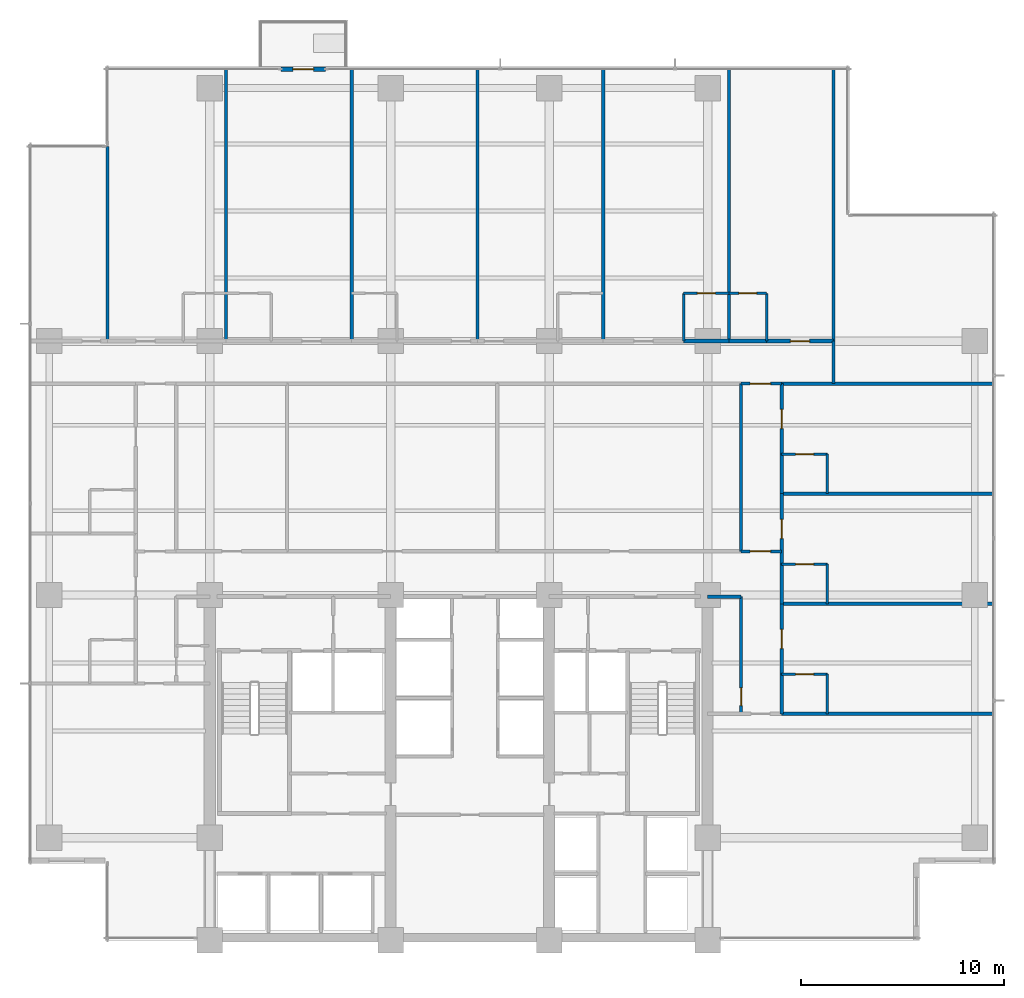
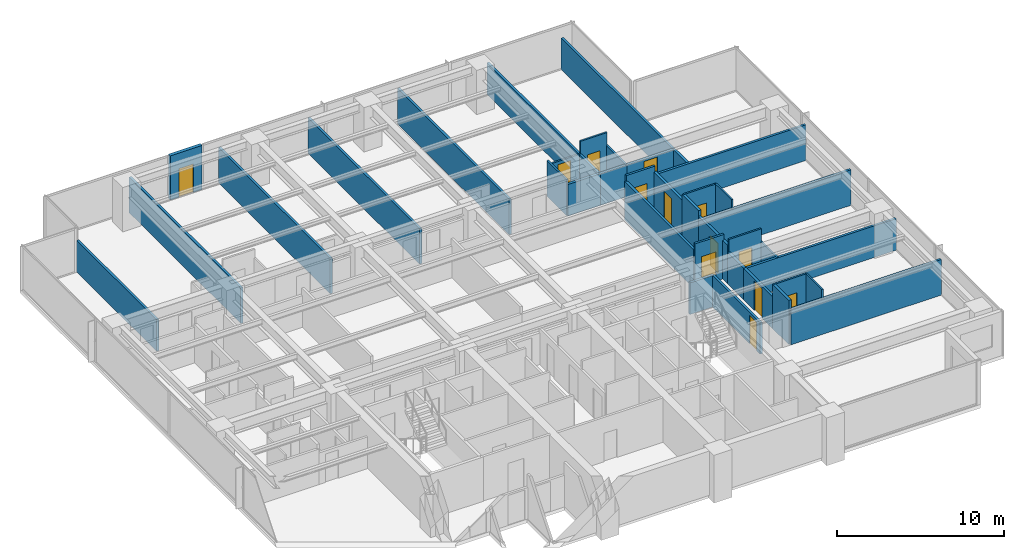
# One storey, part 11 of 17: 37 walls, 13 doors, 13 openings.
"""IFC4 building model written with IfcOpenShell, lengths in metres."""

from ifc_helpers import new_model, si_unit, direction, frame, frame_2d, origin, place, context, subcontext, project, spatial, rectangle, extrude, material, layer, layer_set, type_object, element, fill, save


model = new_model("IFC4")

# Units and contexts
model_context = context("Model", 3, precision=1e-05, world=origin(), true_north=direction((0.0, 1.0)))
body_context = subcontext(model_context, "Body", "Model", "MODEL_VIEW")
ifc_project = project(units=[si_unit("LENGTHUNIT", "METRE"), si_unit("AREAUNIT", "SQUARE_METRE"), si_unit("VOLUMEUNIT", "CUBIC_METRE"), si_unit("PLANEANGLEUNIT", "RADIAN"), si_unit("MASSUNIT", "GRAM", prefix="KILO")], contexts=[model_context])

# Site, building, storey
site_placement = place(None, origin())
site = spatial("IfcSite", under=ifc_project, at=site_placement, CompositionType="ELEMENT")
building_placement = place(site_placement, origin())
building = spatial("IfcBuilding", under=site, at=building_placement, Name="Qalmaran Belvedere Hotel", CompositionType="ELEMENT")
storey_placement = place(building_placement, frame((0.0, 0.0, 105.699951171875)))
storey = spatial("IfcBuildingStorey", under=building, at=storey_placement, Name="L26", CompositionType="ELEMENT", Elevation=105.699951171875)

# Wall, opening, door
ifc_material_1 = material(Name="Anodised Bronze Cladding")
ifc_layer_1 = layer(ifc_material_1, 0.22509765625, Name="Anodised Bronze Cladding")
ifc_layer_set_1 = layer_set([ifc_layer_1], Name="Anodised Bronze Cladding")
wall_type_1 = type_object("IfcWallType", Name="WL-BAL-PORT-225", PredefinedType="SOLIDWALL", material=ifc_layer_set_1)
wall_1_placement = place(storey_placement, frame((23.800048828125, 46.3798828125, 0.0), z_axis=(0.0, 0.0, 1.0), x_axis=(1.0, 0.0, 0.0)))
wall_1 = element("IfcWall", 1, at=wall_1_placement, inside=storey, type_object=wall_type_1, Name="L26 Tree Balcony Door Portal", PredefinedType="SOLIDWALL", context=body_context, shape_type="SweptSolid", body=[
    extrude(rectangle(XDim=2.199951171875, YDim=0.22509765625, at=frame_2d((1.10009765625, 0.0))), origin(), (0.0, 0.0, 1.0), 3.239990234375),
])
opening_1_placement = place(wall_1_placement, frame((0.590087890625, 0.0, 0.0)))
opening_1 = element("IfcOpeningElement", 2, at=opening_1_placement, cuts=wall_1, Name="Opening BL-102", PredefinedType="OPENING", context=body_context, shape_type="SweptSolid", body=[
    extrude(rectangle(XDim=1.02001953125, YDim=2.10009765625, at=frame_2d((0.510009765625, 1.050048828125))), frame((0.0, 0.12255859375, 0.0), z_axis=(0.0, -1.0, 0.0), x_axis=(1.0, 0.0, 0.0)), (0.0, 0.0, 1.0), 0.2451171875),
])
ifc_material_2 = material(Name="Anodised Bronze Aluminium", Category="aluminium")
door_type_1 = type_object("IfcDoorType", Name="DR-BAL-1020X2100", OperationType="NOTDEFINED", PredefinedType="DOOR", material=ifc_material_2)
door_1_placement = place(opening_1_placement, origin())
door_1 = element("IfcDoor", 3, at=door_1_placement, inside=storey, type_object=door_type_1, Name="L26 Planted Tree Balcony Door", OperationType="SINGLE_SWING_LEFT", OverallHeight=2.10009765625, OverallWidth=1.02001953125, PredefinedType="DOOR", context=body_context, shape_type="SweptSolid", body=[
    extrude(rectangle(XDim=1.02001953125, YDim=2.10009765625, at=frame_2d((0.510009765625, 1.050048828125))), frame((0.0, 0.02490234375, 0.0), z_axis=(0.0, -1.0, 0.0), x_axis=(1.0, 0.0, 0.0)), (0.0, 0.0, 1.0), 0.050048828125),
])
fill(opening_1, door_1)

ifc_material_3 = material(Name="Moisture-Resistant Gypsum")
ifc_layer_2 = layer(ifc_material_3, 0.1201171875, Name="Moisture-Resistant Gypsum")
ifc_layer_set_2 = layer_set([ifc_layer_2], Name="Moisture-Resistant Gypsum")
wall_type_2 = type_object("IfcWallType", Name="WL-INT-120-BATH", PredefinedType="PARTITIONING", material=ifc_layer_set_2)
wall_2_placement = place(storey_placement, frame((43.62451171875, 35.35009765625, 0.0), z_axis=(0.0, 0.0, 1.0), x_axis=(1.0, 0.0, 0.0)))
wall_2 = element("IfcWall", 4, at=wall_2_placement, inside=storey, type_object=wall_type_2, Name="L26 Partition WL-L26-NBN04", PredefinedType="PARTITIONING", context=body_context, shape_type="SweptSolid", body=[
    extrude(rectangle(XDim=2.22998046875, YDim=0.1201171875, at=frame_2d((1.114990234375, 0.0))), origin(), (0.0, 0.0, 1.0), 2.31298828125),
])
opening_2_placement = place(wall_2_placement, frame((1.554931640625, 0.0, 0.0), z_axis=(0.0, 0.0, 1.0), x_axis=(-1.0, 0.0, 0.0)))
opening_2 = element("IfcOpeningElement", 5, at=opening_2_placement, cuts=wall_2, Name="Opening D-BATH", PredefinedType="OPENING", context=body_context, shape_type="SweptSolid", body=[
    extrude(rectangle(XDim=0.8798828125, YDim=2.080078125, at=frame_2d((0.43994140625, 1.0400390625))), frame((0.0, 0.070068359375, 0.0), z_axis=(0.0, -1.0, 0.0), x_axis=(1.0, 0.0, 0.0)), (0.0, 0.0, 1.0), 0.14013671875),
])
ifc_material_4 = material(Name="Engineered Oak Veneer")
door_type_2 = type_object("IfcDoorType", Name="DR-INT-BATH-880X2080", OperationType="NOTDEFINED", PredefinedType="DOOR", material=ifc_material_4)
door_2_placement = place(opening_2_placement, origin())
door_2 = element("IfcDoor", 6, at=door_2_placement, inside=storey, type_object=door_type_2, Name="L26 Ensuite Bathroom Door N05", OperationType="SINGLE_SWING_LEFT", OverallHeight=2.080078125, OverallWidth=0.8798828125, PredefinedType="DOOR", context=body_context, shape_type="SweptSolid", body=[
    extrude(rectangle(XDim=0.8798828125, YDim=2.080078125, at=frame_2d((0.43994140625, 1.0400390625))), frame((0.0, 0.02490234375, 0.0), z_axis=(0.0, -1.0, 0.0), x_axis=(1.0, 0.0, 0.0)), (0.0, 0.0, 1.0), 0.050048828125),
])
fill(opening_2, door_2)

# Wall
wall_3_placement = place(storey_placement, frame((43.62451171875, 33.0, 0.0), z_axis=(0.0, 0.0, 1.0), x_axis=(0.0, 1.0, 0.0)))
element("IfcWall", 7, at=wall_3_placement, inside=storey, type_object=wall_type_2, Name="L26 Partition WL-L26-NBS04", PredefinedType="PARTITIONING", context=body_context, shape_type="SweptSolid", body=[
    extrude(rectangle(XDim=2.35009765625, YDim=0.1201171875, at=frame_2d((1.175048828125, 0.0))), origin(), (0.0, 0.0, 1.0), 2.614013671875),
])

# Wall, opening, door
wall_4_placement = place(storey_placement, frame((45.8544921875, 35.35009765625, 0.0), z_axis=(0.0, 0.0, 1.0), x_axis=(1.0, 0.0, 0.0)))
wall_4 = element("IfcWall", 8, at=wall_4_placement, inside=storey, type_object=wall_type_2, Name="L26 Partition WL-L26-NBN05", PredefinedType="PARTITIONING", context=body_context, shape_type="SweptSolid", body=[
    extrude(rectangle(XDim=1.849853515625, YDim=0.1201171875, at=frame_2d((0.9248046875, 0.0))), origin(), (0.0, 0.0, 1.0), 3.239990234375),
])
opening_3_placement = place(wall_4_placement, frame((1.364990234375, 0.0, 0.0), z_axis=(0.0, 0.0, 1.0), x_axis=(-1.0, 0.0, 0.0)))
opening_3 = element("IfcOpeningElement", 9, at=opening_3_placement, cuts=wall_4, Name="Opening D-BATH", PredefinedType="OPENING", context=body_context, shape_type="SweptSolid", body=[
    extrude(rectangle(XDim=0.8798828125, YDim=2.080078125, at=frame_2d((0.43994140625, 1.0400390625))), frame((0.0, 0.070068359375, 0.0), z_axis=(0.0, -1.0, 0.0), x_axis=(1.0, 0.0, 0.0)), (0.0, 0.0, 1.0), 0.14013671875),
])
door_3_placement = place(opening_3_placement, origin())
door_3 = element("IfcDoor", 10, at=door_3_placement, inside=storey, type_object=door_type_2, Name="L26 Ensuite Bathroom Door N06", OperationType="SINGLE_SWING_LEFT", OverallHeight=2.080078125, OverallWidth=0.8798828125, PredefinedType="DOOR", context=body_context, shape_type="SweptSolid", body=[
    extrude(rectangle(XDim=0.8798828125, YDim=2.080078125, at=frame_2d((0.43994140625, 1.0400390625))), frame((0.0, 0.02490234375, 0.0), z_axis=(0.0, -1.0, 0.0), x_axis=(1.0, 0.0, 0.0)), (0.0, 0.0, 1.0), 0.050048828125),
])
fill(opening_3, door_3)

# Wall
wall_5_placement = place(storey_placement, frame((47.704345703125, 33.0, 0.0), z_axis=(0.0, 0.0, 1.0), x_axis=(0.0, 1.0, 0.0)))
element("IfcWall", 11, at=wall_5_placement, inside=storey, type_object=wall_type_2, Name="L26 Partition WL-L26-NBS05", PredefinedType="PARTITIONING", context=body_context, shape_type="SweptSolid", body=[
    extrude(rectangle(XDim=2.35009765625, YDim=0.1201171875, at=frame_2d((1.175048828125, 0.0))), origin(), (0.0, 0.0, 1.0), 2.31298828125),
])

# Wall, opening, door
wall_6_placement = place(storey_placement, frame((48.449951171875, 16.60009765625, 0.0), z_axis=(0.0, 0.0, 1.0), x_axis=(1.0, 0.0, 0.0)))
wall_6 = element("IfcWall", 12, at=wall_6_placement, inside=storey, type_object=wall_type_2, Name="L26 Partition WL-L26-EBN00", PredefinedType="PARTITIONING", context=body_context, shape_type="SweptSolid", body=[
    extrude(rectangle(XDim=2.25, YDim=0.1201171875, at=frame_2d((1.125, 0.0))), origin(), (0.0, 0.0, 1.0), 3.239990234375),
])
opening_4_placement = place(wall_6_placement, frame((1.56494140625, 0.0, 0.0), z_axis=(0.0, 0.0, 1.0), x_axis=(-1.0, 0.0, 0.0)))
opening_4 = element("IfcOpeningElement", 13, at=opening_4_placement, cuts=wall_6, Name="Opening D-BATH", PredefinedType="OPENING", context=body_context, shape_type="SweptSolid", body=[
    extrude(rectangle(XDim=0.8798828125, YDim=2.080078125, at=frame_2d((0.43994140625, 1.0400390625))), frame((0.0, 0.070068359375, 0.0), z_axis=(0.0, -1.0, 0.0), x_axis=(1.0, 0.0, 0.0)), (0.0, 0.0, 1.0), 0.14013671875),
])
door_4_placement = place(opening_4_placement, origin())
door_4 = element("IfcDoor", 14, at=door_4_placement, inside=storey, type_object=door_type_2, Name="L26 E Ensuite Door 01", OperationType="SINGLE_SWING_LEFT", OverallHeight=2.080078125, OverallWidth=0.8798828125, PredefinedType="DOOR", context=body_context, shape_type="SweptSolid", body=[
    extrude(rectangle(XDim=0.8798828125, YDim=2.080078125, at=frame_2d((0.43994140625, 1.0400390625))), frame((0.0, 0.02490234375, 0.0), z_axis=(0.0, -1.0, 0.0), x_axis=(1.0, 0.0, 0.0)), (0.0, 0.0, 1.0), 0.050048828125),
])
fill(opening_4, door_4)

# Wall
wall_7_placement = place(storey_placement, frame((50.699951171875, 14.64990234375, 0.0), z_axis=(0.0, 0.0, 1.0), x_axis=(0.0, 1.0, 0.0)))
element("IfcWall", 15, at=wall_7_placement, inside=storey, type_object=wall_type_2, Name="L26 Partition WL-L26-EBS00", PredefinedType="PARTITIONING", context=body_context, shape_type="SweptSolid", body=[
    extrude(rectangle(XDim=1.9501953125, YDim=0.1201171875, at=frame_2d((0.97509765625, 0.0))), origin(), (0.0, 0.0, 1.0), 3.239990234375),
])

# Wall, opening, door
wall_8_placement = place(storey_placement, frame((48.449951171875, 22.0166015625, 0.0), z_axis=(0.0, 0.0, 1.0), x_axis=(1.0, 0.0, 0.0)))
wall_8 = element("IfcWall", 16, at=wall_8_placement, inside=storey, type_object=wall_type_2, Name="L26 Partition WL-L26-EBN01", PredefinedType="PARTITIONING", context=body_context, shape_type="SweptSolid", body=[
    extrude(rectangle(XDim=2.25, YDim=0.1201171875, at=frame_2d((1.125, 0.0))), origin(), (0.0, 0.0, 1.0), 3.239990234375),
])
opening_5_placement = place(wall_8_placement, frame((1.56494140625, 0.0, 0.0), z_axis=(0.0, 0.0, 1.0), x_axis=(-1.0, 0.0, 0.0)))
opening_5 = element("IfcOpeningElement", 17, at=opening_5_placement, cuts=wall_8, Name="Opening D-BATH", PredefinedType="OPENING", context=body_context, shape_type="SweptSolid", body=[
    extrude(rectangle(XDim=0.8798828125, YDim=2.080078125, at=frame_2d((0.43994140625, 1.0400390625))), frame((0.0, 0.070068359375, 0.0), z_axis=(0.0, -1.0, 0.0), x_axis=(1.0, 0.0, 0.0)), (0.0, 0.0, 1.0), 0.14013671875),
])
door_5_placement = place(opening_5_placement, origin())
door_5 = element("IfcDoor", 18, at=door_5_placement, inside=storey, type_object=door_type_2, Name="L26 E Ensuite Door 02", OperationType="SINGLE_SWING_LEFT", OverallHeight=2.080078125, OverallWidth=0.8798828125, PredefinedType="DOOR", context=body_context, shape_type="SweptSolid", body=[
    extrude(rectangle(XDim=0.8798828125, YDim=2.080078125, at=frame_2d((0.43994140625, 1.0400390625))), frame((0.0, 0.02490234375, 0.0), z_axis=(0.0, -1.0, 0.0), x_axis=(1.0, 0.0, 0.0)), (0.0, 0.0, 1.0), 0.050048828125),
])
fill(opening_5, door_5)

# Wall
wall_9_placement = place(storey_placement, frame((50.699951171875, 20.066650390625, 0.0), z_axis=(0.0, 0.0, 1.0), x_axis=(0.0, 1.0, 0.0)))
element("IfcWall", 19, at=wall_9_placement, inside=storey, type_object=wall_type_2, Name="L26 Partition WL-L26-EBS01", PredefinedType="PARTITIONING", context=body_context, shape_type="SweptSolid", body=[
    extrude(rectangle(XDim=1.949951171875, YDim=0.1201171875, at=frame_2d((0.97509765625, 0.0))), origin(), (0.0, 0.0, 1.0), 2.31298828125),
])

# Wall, opening, door
wall_10_placement = place(storey_placement, frame((48.449951171875, 27.433349609375, 0.0), z_axis=(0.0, 0.0, 1.0), x_axis=(1.0, 0.0, 0.0)))
wall_10 = element("IfcWall", 20, at=wall_10_placement, inside=storey, type_object=wall_type_2, Name="L26 Partition WL-L26-EBN02", PredefinedType="PARTITIONING", context=body_context, shape_type="SweptSolid", body=[
    extrude(rectangle(XDim=2.25, YDim=0.1201171875, at=frame_2d((1.125, 0.0))), origin(), (0.0, 0.0, 1.0), 3.239990234375),
])
opening_6_placement = place(wall_10_placement, frame((1.56494140625, 0.0, 0.0), z_axis=(0.0, 0.0, 1.0), x_axis=(-1.0, 0.0, 0.0)))
opening_6 = element("IfcOpeningElement", 21, at=opening_6_placement, cuts=wall_10, Name="Opening D-BATH", PredefinedType="OPENING", context=body_context, shape_type="SweptSolid", body=[
    extrude(rectangle(XDim=0.8798828125, YDim=2.080078125, at=frame_2d((0.43994140625, 1.0400390625))), frame((0.0, 0.070068359375, 0.0), z_axis=(0.0, -1.0, 0.0), x_axis=(1.0, 0.0, 0.0)), (0.0, 0.0, 1.0), 0.14013671875),
])
door_6_placement = place(opening_6_placement, origin())
door_6 = element("IfcDoor", 22, at=door_6_placement, inside=storey, type_object=door_type_2, Name="L26 E Ensuite Door 03", OperationType="SINGLE_SWING_LEFT", OverallHeight=2.080078125, OverallWidth=0.8798828125, PredefinedType="DOOR", context=body_context, shape_type="SweptSolid", body=[
    extrude(rectangle(XDim=0.8798828125, YDim=2.080078125, at=frame_2d((0.43994140625, 1.0400390625))), frame((0.0, 0.02490234375, 0.0), z_axis=(0.0, -1.0, 0.0), x_axis=(1.0, 0.0, 0.0)), (0.0, 0.0, 1.0), 0.050048828125),
])
fill(opening_6, door_6)

# Wall
wall_11_placement = place(storey_placement, frame((50.699951171875, 25.4833984375, 0.0), z_axis=(0.0, 0.0, 1.0), x_axis=(0.0, 1.0, 0.0)))
element("IfcWall", 23, at=wall_11_placement, inside=storey, type_object=wall_type_2, Name="L26 Partition WL-L26-EBS02", PredefinedType="PARTITIONING", context=body_context, shape_type="SweptSolid", body=[
    extrude(rectangle(XDim=1.949951171875, YDim=0.1201171875, at=frame_2d((0.97509765625, 0.0))), origin(), (0.0, 0.0, 1.0), 3.239990234375),
])

# Wall, opening, door
ifc_material_5 = material(Name="Gypsum Stud Partition")
ifc_layer_3 = layer(ifc_material_5, 0.14990234375, Name="Gypsum Stud Partition")
ifc_layer_set_3 = layer_set([ifc_layer_3], Name="Gypsum Stud Partition")
wall_type_3 = type_object("IfcWallType", Name="WL-INT-150-EI60", PredefinedType="PARTITIONING", material=ifc_layer_set_3)
wall_12_placement = place(storey_placement, frame((46.449951171875, 22.64990234375, 0.0), z_axis=(0.0, 0.0, 1.0), x_axis=(1.0, 0.0, 0.0)))
wall_12 = element("IfcWall", 24, at=wall_12_placement, inside=storey, type_object=wall_type_3, Name="L26 Partition WL-L26-XCE1", PredefinedType="PARTITIONING", context=body_context, shape_type="SweptSolid", body=[
    extrude(rectangle(XDim=2.0, YDim=0.14990234375, at=frame_2d((1.0, 0.0))), origin(), (0.0, 0.0, 1.0), 3.239990234375),
])
opening_7_placement = place(wall_12_placement, frame((0.449951171875, 0.0, 0.0)))
opening_7 = element("IfcOpeningElement", 25, at=opening_7_placement, cuts=wall_12, Name="Opening FD90B", PredefinedType="OPENING", context=body_context, shape_type="SweptSolid", body=[
    extrude(rectangle(XDim=1.0, YDim=2.14990234375, at=frame_2d((0.5, 1.074951171875))), frame((0.0, 0.0849609375, 0.0), z_axis=(0.0, -1.0, 0.0), x_axis=(1.0, 0.0, 0.0)), (0.0, 0.0, 1.0), 0.169921875),
])
ifc_material_6 = material(Name="Steel S355JR", Category="steel")
door_type_3 = type_object("IfcDoorType", Name="DR-FD90B-1000X2150", OperationType="NOTDEFINED", PredefinedType="DOOR", material=ifc_material_6)
door_7_placement = place(opening_7_placement, origin())
door_7 = element("IfcDoor", 26, at=door_7_placement, inside=storey, type_object=door_type_3, Name="L26 East Corridor Smoke Door S", OperationType="SINGLE_SWING_RIGHT", OverallHeight=2.14990234375, OverallWidth=1.0, PredefinedType="DOOR", context=body_context, shape_type="SweptSolid", body=[
    extrude(rectangle(XDim=1.0, YDim=2.14990234375, at=frame_2d((0.5, 1.074951171875))), frame((0.0, 0.02490234375, 0.0), z_axis=(0.0, -1.0, 0.0), x_axis=(1.0, 0.0, 0.0)), (0.0, 0.0, 1.0), 0.050048828125),
])
fill(opening_7, door_7)

wall_13_placement = place(storey_placement, frame((46.449951171875, 30.89990234375, 0.0), z_axis=(0.0, 0.0, 1.0), x_axis=(1.0, 0.0, 0.0)))
wall_13 = element("IfcWall", 27, at=wall_13_placement, inside=storey, type_object=wall_type_3, Name="L26 Partition WL-L26-XCE2", PredefinedType="PARTITIONING", context=body_context, shape_type="SweptSolid", body=[
    extrude(rectangle(XDim=2.0, YDim=0.14990234375, at=frame_2d((1.0, 0.0))), origin(), (0.0, 0.0, 1.0), 3.239990234375),
])
opening_8_placement = place(wall_13_placement, frame((0.449951171875, 0.0, 0.0)))
opening_8 = element("IfcOpeningElement", 28, at=opening_8_placement, cuts=wall_13, Name="Opening FD90B", PredefinedType="OPENING", context=body_context, shape_type="SweptSolid", body=[
    extrude(rectangle(XDim=1.0, YDim=2.14990234375, at=frame_2d((0.5, 1.074951171875))), frame((0.0, 0.0849609375, 0.0), z_axis=(0.0, -1.0, 0.0), x_axis=(1.0, 0.0, 0.0)), (0.0, 0.0, 1.0), 0.169921875),
])
door_8_placement = place(opening_8_placement, origin())
door_8 = element("IfcDoor", 29, at=door_8_placement, inside=storey, type_object=door_type_3, Name="L26 East Corridor Smoke Door N", OperationType="SINGLE_SWING_LEFT", OverallHeight=2.14990234375, OverallWidth=1.0, PredefinedType="DOOR", context=body_context, shape_type="SweptSolid", body=[
    extrude(rectangle(XDim=1.0, YDim=2.14990234375, at=frame_2d((0.5, 1.074951171875))), frame((0.0, 0.02490234375, 0.0), z_axis=(0.0, -1.0, 0.0), x_axis=(1.0, 0.0, 0.0)), (0.0, 0.0, 1.0), 0.050048828125),
])
fill(opening_8, door_8)

ifc_layer_4 = layer(ifc_material_5, 0.159912109375, Name="Gypsum Stud Partition")
ifc_layer_set_4 = layer_set([ifc_layer_4], Name="Gypsum Stud Partition")
wall_type_4 = type_object("IfcWallType", Name="WL-INT-160-EI60", PredefinedType="PARTITIONING", material=ifc_layer_set_4)
wall_14_placement = place(storey_placement, frame((46.449951171875, 14.64990234375, 0.0), z_axis=(0.0, 0.0, 1.0), x_axis=(0.0, 1.0, 0.0)))
wall_14 = element("IfcWall", 30, at=wall_14_placement, inside=storey, type_object=wall_type_4, Name="L26 Partition WL-L26-ECL", PredefinedType="PARTITIONING", context=body_context, shape_type="SweptSolid", body=[
    extrude(rectangle(XDim=5.77001953125, YDim=0.159912109375, at=frame_2d((2.885009765625, 0.0))), origin(), (0.0, 0.0, 1.0), 2.31298828125),
])
opening_9_placement = place(wall_14_placement, frame((0.39990234375, 0.0, 0.0)))
opening_9 = element("IfcOpeningElement", 31, at=opening_9_placement, cuts=wall_14, Name="Opening FD60B", PredefinedType="OPENING", context=body_context, shape_type="SweptSolid", body=[
    extrude(rectangle(XDim=0.8798828125, YDim=2.080078125, at=frame_2d((0.43994140625, 1.0400390625))), frame((0.0, 0.08984375, 0.0), z_axis=(0.0, -1.0, 0.0), x_axis=(1.0, 0.0, 0.0)), (0.0, 0.0, 1.0), 0.179931640625),
])
door_type_4 = type_object("IfcDoorType", Name="DR-FD60B-880X2080", OperationType="NOTDEFINED", PredefinedType="DOOR", material=ifc_material_6)
door_9_placement = place(opening_9_placement, origin())
door_9 = element("IfcDoor", 32, at=door_9_placement, inside=storey, type_object=door_type_4, Name="L26 East Closet Door", OperationType="SINGLE_SWING_LEFT", OverallHeight=2.080078125, OverallWidth=0.8798828125, PredefinedType="DOOR", context=body_context, shape_type="SweptSolid", body=[
    extrude(rectangle(XDim=0.8798828125, YDim=2.080078125, at=frame_2d((0.43994140625, 1.0400390625))), frame((0.0, 0.02490234375, 0.0), z_axis=(0.0, -1.0, 0.0), x_axis=(1.0, 0.0, 0.0)), (0.0, 0.0, 1.0), 0.050048828125),
])
fill(opening_9, door_9)

# Walls
wall_15_placement = place(storey_placement, frame((44.800048828125, 20.419921875, 0.0), z_axis=(0.0, 0.0, 1.0), x_axis=(1.0, 0.0, 0.0)))
element("IfcWall", 33, at=wall_15_placement, inside=storey, type_object=wall_type_4, Name="L26 Partition WL-L26-ECLN", PredefinedType="PARTITIONING", context=body_context, shape_type="SweptSolid", body=[
    extrude(rectangle(XDim=1.64990234375, YDim=0.159912109375, at=frame_2d((0.824951171875, 0.0))), origin(), (0.0, 0.0, 1.0), 2.31298828125),
])
wall_16_placement = place(storey_placement, frame((51.0, 30.89990234375, 0.0), z_axis=(0.0, 0.0, 1.0), x_axis=(0.0, 1.0, 0.0)))
element("IfcWall", 34, at=wall_16_placement, inside=storey, type_object=wall_type_4, Name="L26 Partition WL-L26-NCGE", PredefinedType="PARTITIONING", context=body_context, shape_type="SweptSolid", body=[
    extrude(rectangle(XDim=2.10009765625, YDim=0.159912109375, at=frame_2d((1.050048828125, 0.0))), origin(), (0.0, 0.0, 1.0), 2.31298828125),
])
wall_17_placement = place(storey_placement, frame((46.449951171875, 22.64990234375, 0.0), z_axis=(0.0, 0.0, 1.0), x_axis=(0.0, 1.0, 0.0)))
element("IfcWall", 35, at=wall_17_placement, inside=storey, type_object=wall_type_4, Name="L26 Partition WL-L26-MIDVR3", PredefinedType="PARTITIONING", context=body_context, shape_type="SweptSolid", body=[
    extrude(rectangle(XDim=8.25, YDim=0.159912109375, at=frame_2d((4.125, 0.0))), origin(), (0.0, 0.0, 1.0), 2.818115234375),
])
wall_18_placement = place(storey_placement, frame((15.27001953125, 33.0, 0.0), z_axis=(0.0, 0.0, 1.0), x_axis=(0.0, 1.0, 0.0)))
element("IfcWall", 36, at=wall_18_placement, inside=storey, type_object=wall_type_4, Name="L26 Partition WL-L26-NUL", PredefinedType="PARTITIONING", context=body_context, shape_type="SweptSolid", body=[
    extrude(rectangle(XDim=9.580078125, YDim=0.159912109375, at=frame_2d((4.7900390625, 0.0))), origin(), (0.0, 0.0, 1.0), 2.31298828125),
])
for number, where, z_axis, x_axis, name in (
    (37, (21.095703125, 33.0, 0.0), (0.0, 0.0, 1.0), (0.0, 1.0, 0.0), "L26 Partition WL-L26-NUR00"),
    (38, (27.285400390625, 33.0, 0.0), (0.0, 0.0, 1.0), (0.0, 1.0, 0.0), "L26 Partition WL-L26-NUR01"),
    (39, (33.47509765625, 33.0, 0.0), (0.0, 0.0, 1.0), (0.0, 1.0, 0.0), "L26 Partition WL-L26-NUR02"),
    (40, (39.664794921875, 33.0, 0.0), (0.0, 0.0, 1.0), (0.0, 1.0, 0.0), "L26 Partition WL-L26-NUR03"),
):
    element("IfcWall", number, at=place(storey_placement, frame(where, z_axis=z_axis, x_axis=x_axis)), inside=storey, type_object=wall_type_4, Name=name, PredefinedType="PARTITIONING", context=body_context, shape_type="SweptSolid", body=[
        extrude(rectangle(XDim=13.3798828125, YDim=0.159912109375, at=frame_2d((6.68994140625, 0.0))), origin(), (0.0, 0.0, 1.0), 2.60302734375),
    ])
for number, where, z_axis, x_axis, name in (
    (41, (45.8544921875, 33.0, 0.0), (0.0, 0.0, 1.0), (0.0, 1.0, 0.0), "L26 Partition WL-L26-NUR04"),
    (42, (51.0, 33.0, 0.0), (0.0, 0.0, 1.0), (0.0, 1.0, 0.0), "L26 Partition WL-L26-NUR05"),
):
    element("IfcWall", number, at=place(storey_placement, frame(where, z_axis=z_axis, x_axis=x_axis)), inside=storey, type_object=wall_type_4, Name=name, PredefinedType="PARTITIONING", context=body_context, shape_type="SweptSolid", body=[
        extrude(rectangle(XDim=13.3798828125, YDim=0.159912109375, at=frame_2d((6.68994140625, 0.0))), origin(), (0.0, 0.0, 1.0), 2.31298828125),
    ])
wall_19_placement = place(storey_placement, frame((48.449951171875, 14.64990234375, 0.0), z_axis=(0.0, 0.0, 1.0), x_axis=(1.0, 0.0, 0.0)))
element("IfcWall", 43, at=wall_19_placement, inside=storey, type_object=wall_type_4, Name="L26 Partition WL-L26-EBOT", PredefinedType="PARTITIONING", context=body_context, shape_type="SweptSolid", body=[
    extrude(rectangle(XDim=10.429931640625, YDim=0.159912109375, at=frame_2d((5.21484375, 0.0))), origin(), (0.0, 0.0, 1.0), 2.60302734375),
])
wall_20_placement = place(storey_placement, frame((48.449951171875, 20.066650390625, 0.0), z_axis=(0.0, 0.0, 1.0), x_axis=(1.0, 0.0, 0.0)))
element("IfcWall", 44, at=wall_20_placement, inside=storey, type_object=wall_type_4, Name="L26 Partition WL-L26-EU00", PredefinedType="PARTITIONING", context=body_context, shape_type="SweptSolid", body=[
    extrude(rectangle(XDim=10.429931640625, YDim=0.159912109375, at=frame_2d((5.21484375, 0.0))), origin(), (0.0, 0.0, 1.0), 2.31298828125),
])
for number, where, z_axis, x_axis, name in (
    (45, (48.449951171875, 25.4833984375, 0.0), (0.0, 0.0, 1.0), (1.0, 0.0, 0.0), "L26 Partition WL-L26-EU01"),
    (46, (48.449951171875, 30.89990234375, 0.0), (0.0, 0.0, 1.0), (1.0, 0.0, 0.0), "L26 Partition WL-L26-EU02"),
):
    element("IfcWall", number, at=place(storey_placement, frame(where, z_axis=z_axis, x_axis=x_axis)), inside=storey, type_object=wall_type_4, Name=name, PredefinedType="PARTITIONING", context=body_context, shape_type="SweptSolid", body=[
        extrude(rectangle(XDim=10.429931640625, YDim=0.159912109375, at=frame_2d((5.21484375, 0.0))), origin(), (0.0, 0.0, 1.0), 2.60302734375),
    ])
ifc_layer_5 = layer(ifc_material_5, 0.179931640625, Name="Gypsum Stud Partition")
ifc_layer_set_5 = layer_set([ifc_layer_5], Name="Gypsum Stud Partition")
wall_type_5 = type_object("IfcWallType", Name="WL-INT-180-EI60", PredefinedType="PARTITIONING", material=ifc_layer_set_5)
wall_21_placement = place(storey_placement, frame((43.62451171875, 33.0, 0.0), z_axis=(0.0, 0.0, 1.0), x_axis=(1.0, 0.0, 0.0)))
element("IfcWall", 47, at=wall_21_placement, inside=storey, type_object=wall_type_5, Name="L26 Partition WL-L26-NBC04", PredefinedType="PARTITIONING", context=body_context, shape_type="SweptSolid", body=[
    extrude(rectangle(XDim=2.22998046875, YDim=0.179931640625, at=frame_2d((1.114990234375, 0.0))), origin(), (0.0, 0.0, 1.0), 2.31298828125),
])
wall_22_placement = place(storey_placement, frame((45.8544921875, 33.0, 0.0), z_axis=(0.0, 0.0, 1.0), x_axis=(1.0, 0.0, 0.0)))
element("IfcWall", 48, at=wall_22_placement, inside=storey, type_object=wall_type_5, Name="L26 Partition WL-L26-NBC05", PredefinedType="PARTITIONING", context=body_context, shape_type="SweptSolid", body=[
    extrude(rectangle(XDim=1.849853515625, YDim=0.179931640625, at=frame_2d((0.9248046875, 0.0))), origin(), (0.0, 0.0, 1.0), 2.31298828125),
])

# Wall, opening, door
wall_23_placement = place(storey_placement, frame((47.704345703125, 33.0, 0.0), z_axis=(0.0, 0.0, 1.0), x_axis=(1.0, 0.0, 0.0)))
wall_23 = element("IfcWall", 49, at=wall_23_placement, inside=storey, type_object=wall_type_5, Name="L26 Partition WL-L26-NEC05", PredefinedType="PARTITIONING", context=body_context, shape_type="SweptSolid", body=[
    extrude(rectangle(XDim=3.295654296875, YDim=0.179931640625, at=frame_2d((1.64794921875, 0.0))), origin(), (0.0, 0.0, 1.0), 2.31298828125),
])
opening_10_placement = place(wall_23_placement, frame((1.1728515625, 0.0, 0.0)))
opening_10 = element("IfcOpeningElement", 50, at=opening_10_placement, cuts=wall_23, Name="Opening FD60", PredefinedType="OPENING", context=body_context, shape_type="SweptSolid", body=[
    extrude(rectangle(XDim=0.949951171875, YDim=2.14990234375, at=frame_2d((0.47509765625, 1.074951171875))), frame((0.0, 0.10009765625, 0.0), z_axis=(0.0, -1.0, 0.0), x_axis=(1.0, 0.0, 0.0)), (0.0, 0.0, 1.0), 0.199951171875),
])
door_type_5 = type_object("IfcDoorType", Name="DR-FD60-950X2150", OperationType="NOTDEFINED", PredefinedType="DOOR", material=ifc_material_4)
door_10_placement = place(opening_10_placement, origin())
door_10 = element("IfcDoor", 51, at=door_10_placement, inside=storey, type_object=door_type_5, Name="L26 Guest Entrance Door N06", OperationType="SINGLE_SWING_RIGHT", OverallHeight=2.14990234375, OverallWidth=0.949951171875, PredefinedType="DOOR", context=body_context, shape_type="SweptSolid", body=[
    extrude(rectangle(XDim=0.949951171875, YDim=2.14990234375, at=frame_2d((0.47509765625, 1.074951171875))), frame((0.0, 0.02490234375, 0.0), z_axis=(0.0, -1.0, 0.0), x_axis=(1.0, 0.0, 0.0)), (0.0, 0.0, 1.0), 0.050048828125),
])
fill(opening_10, door_10)

# Wall
wall_24_placement = place(storey_placement, frame((48.449951171875, 14.64990234375, 0.0), z_axis=(0.0, 0.0, 1.0), x_axis=(0.0, 1.0, 0.0)))
element("IfcWall", 52, at=wall_24_placement, inside=storey, type_object=wall_type_5, Name="L26 Partition WL-L26-EBC00", PredefinedType="PARTITIONING", context=body_context, shape_type="SweptSolid", body=[
    extrude(rectangle(XDim=1.9501953125, YDim=0.179931640625, at=frame_2d((0.97509765625, 0.0))), origin(), (0.0, 0.0, 1.0), 3.239990234375),
])

# Wall, opening, door
wall_25_placement = place(storey_placement, frame((48.449951171875, 16.60009765625, 0.0), z_axis=(0.0, 0.0, 1.0), x_axis=(0.0, 1.0, 0.0)))
wall_25 = element("IfcWall", 53, at=wall_25_placement, inside=storey, type_object=wall_type_5, Name="L26 Partition WL-L26-EEC00", PredefinedType="PARTITIONING", context=body_context, shape_type="SweptSolid", body=[
    extrude(rectangle(XDim=3.466552734375, YDim=0.179931640625, at=frame_2d((1.7333984375, 0.0))), origin(), (0.0, 0.0, 1.0), 2.31298828125),
])
opening_11_placement = place(wall_25_placement, frame((2.208251953125, 0.0, 0.0), z_axis=(0.0, 0.0, 1.0), x_axis=(-1.0, 0.0, 0.0)))
opening_11 = element("IfcOpeningElement", 54, at=opening_11_placement, cuts=wall_25, Name="Opening FD60", PredefinedType="OPENING", context=body_context, shape_type="SweptSolid", body=[
    extrude(rectangle(XDim=0.949951171875, YDim=2.14990234375, at=frame_2d((0.47509765625, 1.074951171875))), frame((0.0, 0.10009765625, 0.0), z_axis=(0.0, -1.0, 0.0), x_axis=(1.0, 0.0, 0.0)), (0.0, 0.0, 1.0), 0.199951171875),
])
door_11_placement = place(opening_11_placement, origin())
door_11 = element("IfcDoor", 55, at=door_11_placement, inside=storey, type_object=door_type_5, Name="L26 E Wing Door 01", OperationType="SINGLE_SWING_RIGHT", OverallHeight=2.14990234375, OverallWidth=0.949951171875, PredefinedType="DOOR", context=body_context, shape_type="SweptSolid", body=[
    extrude(rectangle(XDim=0.949951171875, YDim=2.14990234375, at=frame_2d((0.47509765625, 1.074951171875))), frame((0.0, 0.02490234375, 0.0), z_axis=(0.0, -1.0, 0.0), x_axis=(1.0, 0.0, 0.0)), (0.0, 0.0, 1.0), 0.050048828125),
])
fill(opening_11, door_11)

# Wall
wall_26_placement = place(storey_placement, frame((48.449951171875, 20.066650390625, 0.0), z_axis=(0.0, 0.0, 1.0), x_axis=(0.0, 1.0, 0.0)))
element("IfcWall", 56, at=wall_26_placement, inside=storey, type_object=wall_type_5, Name="L26 Partition WL-L26-EBC01", PredefinedType="PARTITIONING", context=body_context, shape_type="SweptSolid", body=[
    extrude(rectangle(XDim=1.949951171875, YDim=0.179931640625, at=frame_2d((0.97509765625, 0.0))), origin(), (0.0, 0.0, 1.0), 2.31298828125),
])

# Wall, opening, door
wall_27_placement = place(storey_placement, frame((48.449951171875, 22.0166015625, 0.0), z_axis=(0.0, 0.0, 1.0), x_axis=(0.0, 1.0, 0.0)))
wall_27 = element("IfcWall", 57, at=wall_27_placement, inside=storey, type_object=wall_type_5, Name="L26 Partition WL-L26-EEC01", PredefinedType="PARTITIONING", context=body_context, shape_type="SweptSolid", body=[
    extrude(rectangle(XDim=3.466796875, YDim=0.179931640625, at=frame_2d((1.7333984375, 0.0))), origin(), (0.0, 0.0, 1.0), 2.818115234375),
])
opening_12_placement = place(wall_27_placement, frame((2.208251953125, 0.0, 0.0), z_axis=(0.0, 0.0, 1.0), x_axis=(-1.0, 0.0, 0.0)))
opening_12 = element("IfcOpeningElement", 58, at=opening_12_placement, cuts=wall_27, Name="Opening FD60", PredefinedType="OPENING", context=body_context, shape_type="SweptSolid", body=[
    extrude(rectangle(XDim=0.949951171875, YDim=2.14990234375, at=frame_2d((0.47509765625, 1.074951171875))), frame((0.0, 0.10009765625, 0.0), z_axis=(0.0, -1.0, 0.0), x_axis=(1.0, 0.0, 0.0)), (0.0, 0.0, 1.0), 0.199951171875),
])
door_12_placement = place(opening_12_placement, origin())
door_12 = element("IfcDoor", 59, at=door_12_placement, inside=storey, type_object=door_type_5, Name="L26 E Wing Door 02", OperationType="SINGLE_SWING_RIGHT", OverallHeight=2.14990234375, OverallWidth=0.949951171875, PredefinedType="DOOR", context=body_context, shape_type="SweptSolid", body=[
    extrude(rectangle(XDim=0.949951171875, YDim=2.14990234375, at=frame_2d((0.47509765625, 1.074951171875))), frame((0.0, 0.02490234375, 0.0), z_axis=(0.0, -1.0, 0.0), x_axis=(1.0, 0.0, 0.0)), (0.0, 0.0, 1.0), 0.050048828125),
])
fill(opening_12, door_12)

# Wall
wall_28_placement = place(storey_placement, frame((48.449951171875, 25.4833984375, 0.0), z_axis=(0.0, 0.0, 1.0), x_axis=(0.0, 1.0, 0.0)))
element("IfcWall", 60, at=wall_28_placement, inside=storey, type_object=wall_type_5, Name="L26 Partition WL-L26-EBC02", PredefinedType="PARTITIONING", context=body_context, shape_type="SweptSolid", body=[
    extrude(rectangle(XDim=1.949951171875, YDim=0.179931640625, at=frame_2d((0.97509765625, 0.0))), origin(), (0.0, 0.0, 1.0), 3.239990234375),
])

# Wall, opening, door
wall_29_placement = place(storey_placement, frame((48.449951171875, 27.433349609375, 0.0), z_axis=(0.0, 0.0, 1.0), x_axis=(0.0, 1.0, 0.0)))
wall_29 = element("IfcWall", 61, at=wall_29_placement, inside=storey, type_object=wall_type_5, Name="L26 Partition WL-L26-EEC02", PredefinedType="PARTITIONING", context=body_context, shape_type="SweptSolid", body=[
    extrude(rectangle(XDim=3.466552734375, YDim=0.179931640625, at=frame_2d((1.7333984375, 0.0))), origin(), (0.0, 0.0, 1.0), 2.818115234375),
])
opening_13_placement = place(wall_29_placement, frame((2.208251953125, 0.0, 0.0), z_axis=(0.0, 0.0, 1.0), x_axis=(-1.0, 0.0, 0.0)))
opening_13 = element("IfcOpeningElement", 62, at=opening_13_placement, cuts=wall_29, Name="Opening FD60", PredefinedType="OPENING", context=body_context, shape_type="SweptSolid", body=[
    extrude(rectangle(XDim=0.949951171875, YDim=2.14990234375, at=frame_2d((0.47509765625, 1.074951171875))), frame((0.0, 0.10009765625, 0.0), z_axis=(0.0, -1.0, 0.0), x_axis=(1.0, 0.0, 0.0)), (0.0, 0.0, 1.0), 0.199951171875),
])
door_13_placement = place(opening_13_placement, origin())
door_13 = element("IfcDoor", 63, at=door_13_placement, inside=storey, type_object=door_type_5, Name="L26 E Wing Door 03", OperationType="SINGLE_SWING_RIGHT", OverallHeight=2.14990234375, OverallWidth=0.949951171875, PredefinedType="DOOR", context=body_context, shape_type="SweptSolid", body=[
    extrude(rectangle(XDim=0.949951171875, YDim=2.14990234375, at=frame_2d((0.47509765625, 1.074951171875))), frame((0.0, 0.02490234375, 0.0), z_axis=(0.0, -1.0, 0.0), x_axis=(1.0, 0.0, 0.0)), (0.0, 0.0, 1.0), 0.050048828125),
])
fill(opening_13, door_13)

save(model, "model.ifc")
